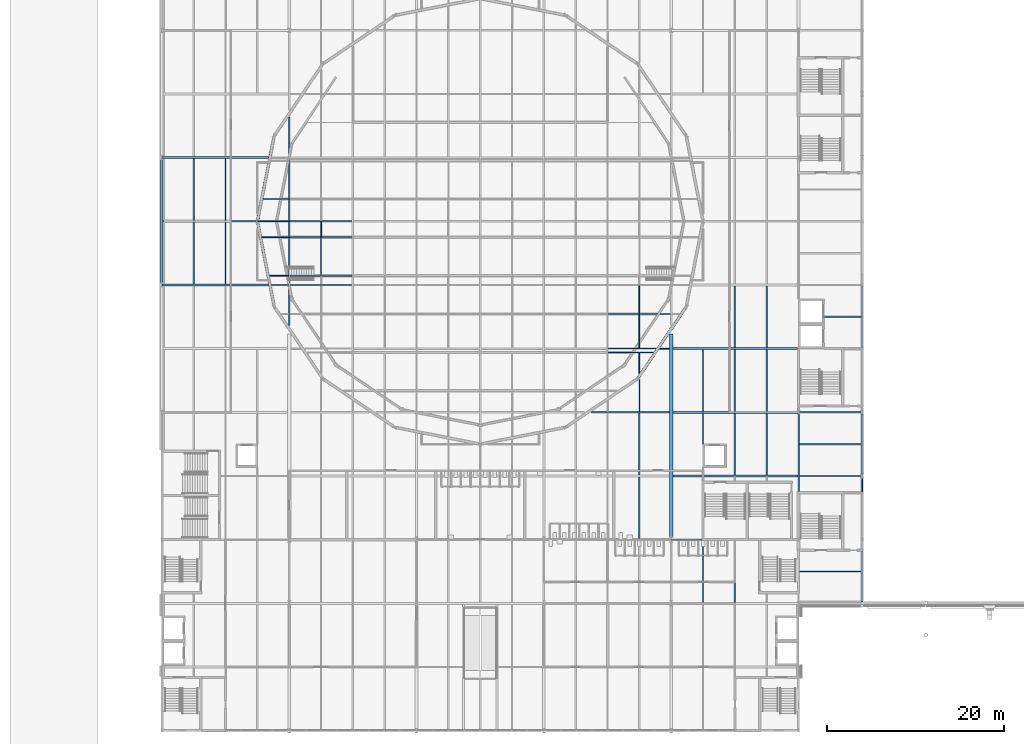
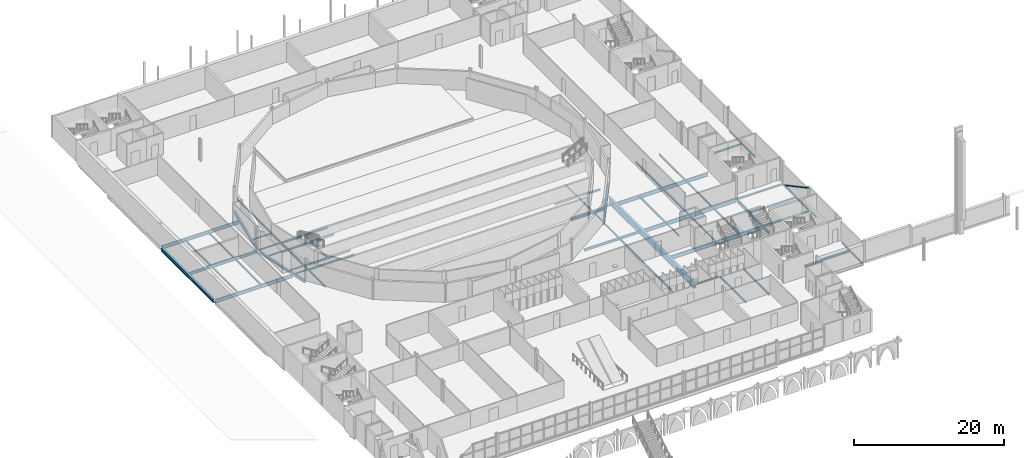
# One storey, part 32 of 90: 59 beams, 1 member.
"""IFC4 building model written with IfcOpenShell, lengths in metres."""

from ifc_helpers import new_model, si_unit, direction, frame, origin, origin_2d, place, context, subcontext, project, spatial, hollow_circle, i_section, extrude, material, material_profile, profile_set, type_object, element, save


model = new_model("IFC4")

# Units and contexts
model_context = context("Model", 3, precision=1e-05, world=origin(), true_north=direction((0.0, 1.0)))
body_context = subcontext(model_context, "Body", "Model", "MODEL_VIEW")
ifc_project = project(units=[si_unit("LENGTHUNIT", "METRE"), si_unit("AREAUNIT", "SQUARE_METRE"), si_unit("VOLUMEUNIT", "CUBIC_METRE"), si_unit("PLANEANGLEUNIT", "RADIAN"), si_unit("MASSUNIT", "GRAM", prefix="KILO")], contexts=[model_context])

# Site, building, storey
site_placement = place(None, origin())
site = spatial("IfcSite", under=ifc_project, at=site_placement, CompositionType="ELEMENT")
building_placement = place(site_placement, origin())
building = spatial("IfcBuilding", under=site, at=building_placement, Name="Kupolbacken Congress Centre", CompositionType="ELEMENT")
storey_placement = place(building_placement, frame((0.0, 0.0, 3.60009765625)))
storey = spatial("IfcBuildingStorey", under=building, at=storey_placement, Name="L01", CompositionType="ELEMENT", Elevation=3.60009765625)

# Beams
ifc_material_1 = material(Name="Steel S355", Category="steel")
ifc_material_profile_1 = material_profile(ifc_material_1, i_section(OverallWidth=0.10009765625, OverallDepth=0.199951171875, WebThickness=0.005615234375, FlangeThickness=0.008544921875, FilletRadius=0.011962890625, at=origin_2d()), Name="IPE 200")
ifc_profile_set_1 = profile_set([ifc_material_profile_1], Name="Steel S355")
beam_type_1 = type_object("IfcBeamType", Name="B01 beam IPE 200", PredefinedType="BEAM", material=ifc_profile_set_1)
beam_1_placement = place(storey_placement, frame((64.807861328125, 50.39990234375, -0.280029296875), z_axis=(1.0, 0.0, 0.0), x_axis=(0.0, 1.0, 0.0)))
element("IfcBeam", 1, at=beam_1_placement, inside=storey, type_object=beam_type_1, Name="S/floor/F/L01/R029", PredefinedType="BEAM", context=body_context, shape_type="SweptSolid", body=[
    extrude(i_section(OverallWidth=0.10009765625, OverallDepth=0.199951171875, WebThickness=0.005615234375, FlangeThickness=0.008544921875, FilletRadius=0.011962890625, at=origin_2d()), origin(), (0.0, 0.0, 1.0), 3.467041015625),
])
beam_2_placement = place(storey_placement, frame((63.50927734375, 72.0, -0.2900390625), z_axis=(1.0, 0.0, 0.0), x_axis=(0.0, 1.0, 0.0)))
element("IfcBeam", 2, at=beam_2_placement, inside=storey, type_object=beam_type_1, Name="S/floor/P/L01/R049", PredefinedType="BEAM", context=body_context, shape_type="SweptSolid", body=[
    extrude(i_section(OverallWidth=0.10009765625, OverallDepth=0.199951171875, WebThickness=0.005615234375, FlangeThickness=0.008544921875, FilletRadius=0.011962890625, at=origin_2d()), origin(), (0.0, 0.0, 1.0), 1.0908203125),
])
beam_3_placement = place(storey_placement, frame((68.39990234375, 61.199951171875, -0.2900390625), z_axis=(0.0, 1.0, 0.0), x_axis=(-1.0, 0.0, 0.0)))
element("IfcBeam", 3, at=beam_3_placement, inside=storey, type_object=beam_type_1, Name="S/floor/P/L01/S167", PredefinedType="BEAM", context=body_context, shape_type="SweptSolid", body=[
    extrude(i_section(OverallWidth=0.10009765625, OverallDepth=0.199951171875, WebThickness=0.005615234375, FlangeThickness=0.008544921875, FilletRadius=0.011962890625, at=origin_2d()), origin(), (0.0, 0.0, 1.0), 3.489990234375),
])
beam_4_placement = place(storey_placement, frame((19.580322265625, 79.199951171875, -0.2900390625), z_axis=(1.0, 0.0, 0.0), x_axis=(0.0, 1.0, 0.0)))
element("IfcBeam", 4, at=beam_4_placement, inside=storey, type_object=beam_type_1, Name="S/floor/PL/L01/R018", PredefinedType="BEAM", context=body_context, shape_type="SweptSolid", body=[
    extrude(i_section(OverallWidth=0.10009765625, OverallDepth=0.199951171875, WebThickness=0.005615234375, FlangeThickness=0.008544921875, FilletRadius=0.011962890625, at=origin_2d()), origin(), (0.0, 0.0, 1.0), 1.944580078125),
])
beam_5_placement = place(storey_placement, frame((18.0068359375, 86.39990234375, -0.2900390625), z_axis=(1.0, 0.0, 0.0), x_axis=(0.0, 1.0, 0.0)))
element("IfcBeam", 5, at=beam_5_placement, inside=storey, type_object=beam_type_1, Name="S/floor/PL/L01/R026", PredefinedType="BEAM", context=body_context, shape_type="SweptSolid", body=[
    extrude(i_section(OverallWidth=0.10009765625, OverallDepth=0.199951171875, WebThickness=0.005615234375, FlangeThickness=0.008544921875, FilletRadius=0.011962890625, at=origin_2d()), origin(), (0.0, 0.0, 1.0), 3.51806640625),
])
beam_6_placement = place(storey_placement, frame((18.659912109375, 88.925048828125, -0.2900390625), z_axis=(1.0, 0.0, 0.0), x_axis=(0.0, 1.0, 0.0)))
element("IfcBeam", 6, at=beam_6_placement, inside=storey, type_object=beam_type_1, Name="S/floor/PL/L01/R060", PredefinedType="BEAM", context=body_context, shape_type="SweptSolid", body=[
    extrude(i_section(OverallWidth=0.10009765625, OverallDepth=0.199951171875, WebThickness=0.005615234375, FlangeThickness=0.008544921875, FilletRadius=0.011962890625, at=origin_2d()), origin(), (0.0, 0.0, 1.0), 2.864990234375),
])
beam_7_placement = place(storey_placement, frame((18.519775390625, 84.5869140625, -0.2900390625), z_axis=(1.0, 0.0, 0.0), x_axis=(0.0, 1.0, 0.0)))
element("IfcBeam", 7, at=beam_7_placement, inside=storey, type_object=beam_type_1, Name="S/floor/PL/L01/R068", PredefinedType="BEAM", context=body_context, shape_type="SweptSolid", body=[
    extrude(i_section(OverallWidth=0.10009765625, OverallDepth=0.199951171875, WebThickness=0.005615234375, FlangeThickness=0.008544921875, FilletRadius=0.011962890625, at=origin_2d()), origin(), (0.0, 0.0, 1.0), 3.005126953125),
])
beam_8_placement = place(storey_placement, frame((19.37353515625, 80.25, -0.2900390625), z_axis=(1.0, 0.0, 0.0), x_axis=(0.0, 1.0, 0.0)))
element("IfcBeam", 8, at=beam_8_placement, inside=storey, type_object=beam_type_1, Name="S/floor/PL/L01/R076", PredefinedType="BEAM", context=body_context, shape_type="SweptSolid", body=[
    extrude(i_section(OverallWidth=0.10009765625, OverallDepth=0.199951171875, WebThickness=0.005615234375, FlangeThickness=0.008544921875, FilletRadius=0.011962890625, at=origin_2d()), origin(), (0.0, 0.0, 1.0), 2.1513671875),
])
beam_9_placement = place(storey_placement, frame((25.199951171875, 84.662109375, -0.2900390625), z_axis=(0.0, 1.0, 0.0), x_axis=(-1.0, 0.0, 0.0)))
element("IfcBeam", 9, at=beam_9_placement, inside=storey, type_object=beam_type_1, Name="S/floor/PL/L01/S109", PredefinedType="BEAM", context=body_context, shape_type="SweptSolid", body=[
    extrude(i_section(OverallWidth=0.10009765625, OverallDepth=0.199951171875, WebThickness=0.005615234375, FlangeThickness=0.008544921875, FilletRadius=0.011962890625, at=origin_2d()), origin(), (0.0, 0.0, 1.0), 1.662841796875),
])
beam_10_placement = place(storey_placement, frame((61.199951171875, 69.238525390625, -0.2900390625), z_axis=(0.0, 1.0, 0.0), x_axis=(-1.0, 0.0, 0.0)))
element("IfcBeam", 10, at=beam_10_placement, inside=storey, type_object=beam_type_1, Name="S/floor/PL/L01/S166", PredefinedType="BEAM", context=body_context, shape_type="SweptSolid", body=[
    extrude(i_section(OverallWidth=0.10009765625, OverallDepth=0.199951171875, WebThickness=0.005615234375, FlangeThickness=0.008544921875, FilletRadius=0.011962890625, at=origin_2d()), origin(), (0.0, 0.0, 1.0), 2.26904296875),
])
beam_11_placement = place(storey_placement, frame((61.199951171875, 72.0673828125, -0.2900390625), z_axis=(0.0, 1.0, 0.0), x_axis=(-1.0, 0.0, 0.0)))
element("IfcBeam", 11, at=beam_11_placement, inside=storey, type_object=beam_type_1, Name="S/floor/PL/L01/S167", PredefinedType="BEAM", context=body_context, shape_type="SweptSolid", body=[
    extrude(i_section(OverallWidth=0.10009765625, OverallDepth=0.199951171875, WebThickness=0.005615234375, FlangeThickness=0.008544921875, FilletRadius=0.011962890625, at=origin_2d()), origin(), (0.0, 0.0, 1.0), 3.76953125),
])
beam_12_placement = place(storey_placement, frame((61.199951171875, 75.987060546875, -0.2900390625), z_axis=(0.0, 1.0, 0.0), x_axis=(-1.0, 0.0, 0.0)))
element("IfcBeam", 12, at=beam_12_placement, inside=storey, type_object=beam_type_1, Name="S/floor/PL/L01/S168", PredefinedType="BEAM", context=body_context, shape_type="SweptSolid", body=[
    extrude(i_section(OverallWidth=0.10009765625, OverallDepth=0.199951171875, WebThickness=0.005615234375, FlangeThickness=0.008544921875, FilletRadius=0.011962890625, at=origin_2d()), origin(), (0.0, 0.0, 1.0), 3.137939453125),
])
beam_13_placement = place(storey_placement, frame((86.39990234375, 55.800048828125, -0.280029296875), z_axis=(0.0, 1.0, 0.0), x_axis=(-1.0, 0.0, 0.0)))
element("IfcBeam", 13, at=beam_13_placement, inside=storey, type_object=beam_type_1, Name="S/floor/LINK/L01/E002", PredefinedType="BEAM", context=body_context, shape_type="SweptSolid", body=[
    extrude(i_section(OverallWidth=0.10009765625, OverallDepth=0.199951171875, WebThickness=0.005615234375, FlangeThickness=0.008544921875, FilletRadius=0.011962890625, at=origin_2d()), origin(), (0.0, 0.0, 1.0), 1.554931640625),
])
ifc_material_2 = material(Name="Steel S355", Category="steel")
ifc_material_profile_2 = material_profile(ifc_material_2, i_section(OverallWidth=0.135009765625, OverallDepth=0.27001953125, WebThickness=0.006591796875, FlangeThickness=0.01025390625, FilletRadius=0.014892578125, at=origin_2d()), Name="IPE 270")
ifc_profile_set_2 = profile_set([ifc_material_profile_2], Name="Steel S355")
beam_type_2 = type_object("IfcBeamType", Name="B03 beam IPE 270", PredefinedType="BEAM", material=ifc_profile_set_2)
beam_14_placement = place(storey_placement, frame((61.199951171875, 64.889892578125, -0.3251953125), z_axis=(0.0, 1.0, 0.0), x_axis=(-1.0, 0.0, 0.0)))
element("IfcBeam", 14, at=beam_14_placement, inside=storey, type_object=beam_type_2, Name="S/floor/P/L01/S136", PredefinedType="BEAM", context=body_context, shape_type="SweptSolid", body=[
    extrude(i_section(OverallWidth=0.135009765625, OverallDepth=0.27001953125, WebThickness=0.006591796875, FlangeThickness=0.01025390625, FilletRadius=0.014892578125, at=origin_2d()), origin(), (0.0, 0.0, 1.0), 3.63818359375),
])
beam_15_placement = place(storey_placement, frame((57.675048828125, 72.0, -0.3251953125), z_axis=(1.0, 0.0, 0.0), x_axis=(0.0, 1.0, 0.0)))
element("IfcBeam", 15, at=beam_15_placement, inside=storey, type_object=beam_type_2, Name="S/floor/PL/L01/R017", PredefinedType="BEAM", context=body_context, shape_type="SweptSolid", body=[
    extrude(i_section(OverallWidth=0.135009765625, OverallDepth=0.27001953125, WebThickness=0.006591796875, FlangeThickness=0.01025390625, FilletRadius=0.014892578125, at=origin_2d()), origin(), (0.0, 0.0, 1.0), 5.392822265625),
])
beam_16_placement = place(storey_placement, frame((57.675048828125, 71.574951171875, -0.3251953125), z_axis=(1.0, 0.0, 0.0), x_axis=(0.0, 1.0, 0.0)))
element("IfcBeam", 16, at=beam_16_placement, inside=storey, type_object=beam_type_2, Name="S/floor/PL/L01/R097", PredefinedType="BEAM", context=body_context, shape_type="SweptSolid", body=[
    extrude(i_section(OverallWidth=0.135009765625, OverallDepth=0.27001953125, WebThickness=0.006591796875, FlangeThickness=0.01025390625, FilletRadius=0.014892578125, at=origin_2d()), origin(), (0.0, 0.0, 1.0), 5.106201171875),
])
beam_17_placement = place(storey_placement, frame((25.199951171875, 80.324951171875, -0.3251953125), z_axis=(0.0, 1.0, 0.0), x_axis=(-1.0, 0.0, 0.0)))
element("IfcBeam", 17, at=beam_17_placement, inside=storey, type_object=beam_type_2, Name="S/floor/PL/L01/S108", PredefinedType="BEAM", context=body_context, shape_type="SweptSolid", body=[
    extrude(i_section(OverallWidth=0.135009765625, OverallDepth=0.27001953125, WebThickness=0.006591796875, FlangeThickness=0.01025390625, FilletRadius=0.014892578125, at=origin_2d()), origin(), (0.0, 0.0, 1.0), 4.18701171875),
])
beam_18_placement = place(storey_placement, frame((86.39990234375, 43.344970703125, -0.315185546875), z_axis=(0.0, 1.0, 0.0), x_axis=(-1.0, 0.0, 0.0)))
element("IfcBeam", 18, at=beam_18_placement, inside=storey, type_object=beam_type_2, Name="S/floor/LINK/L01/E001", PredefinedType="BEAM", context=body_context, shape_type="SweptSolid", body=[
    extrude(i_section(OverallWidth=0.135009765625, OverallDepth=0.27001953125, WebThickness=0.006591796875, FlangeThickness=0.01025390625, FilletRadius=0.014892578125, at=origin_2d()), origin(), (0.0, 0.0, 1.0), 5.755126953125),
])
beam_19_placement = place(storey_placement, frame((82.10009765625, 75.60009765625, -0.315185546875), z_axis=(1.0, 0.0, 0.0), x_axis=(0.0, 1.0, 0.0)))
element("IfcBeam", 19, at=beam_19_placement, inside=storey, type_object=beam_type_2, Name="S/floor/LINK/L01/R015", PredefinedType="BEAM", context=body_context, shape_type="SweptSolid", body=[
    extrude(i_section(OverallWidth=0.135009765625, OverallDepth=0.27001953125, WebThickness=0.006591796875, FlangeThickness=0.01025390625, FilletRadius=0.014892578125, at=origin_2d()), origin(), (0.0, 0.0, 1.0), 4.224853515625),
])
ifc_material_3 = material(Name="Steel S355", Category="steel")
ifc_material_profile_3 = material_profile(ifc_material_3, i_section(OverallWidth=0.14990234375, OverallDepth=0.300048828125, WebThickness=0.007080078125, FlangeThickness=0.0107421875, FilletRadius=0.014892578125, at=origin_2d()), Name="IPE 300")
ifc_profile_set_3 = profile_set([ifc_material_profile_3], Name="Steel S355")
beam_type_3 = type_object("IfcBeamType", Name="B04 beam IPE 300", PredefinedType="BEAM", material=ifc_profile_set_3)
for number, where, z_axis, x_axis, name in (
    (20, (68.39990234375, 43.31005859375, -0.330078125), (0.0, 1.0, 0.0), (-1.0, 0.0, 0.0), "S/floor/F/L01/S077"),
    (21, (72.0, 43.31005859375, -0.330078125), (0.0, 1.0, 0.0), (-1.0, 0.0, 0.0), "S/floor/F/L01/S080"),
):
    element("IfcBeam", number, at=place(storey_placement, frame(where, z_axis=z_axis, x_axis=x_axis)), inside=storey, type_object=beam_type_3, Name=name, PredefinedType="BEAM", context=body_context, shape_type="SweptSolid", body=[
        extrude(i_section(OverallWidth=0.14990234375, OverallDepth=0.300048828125, WebThickness=0.007080078125, FlangeThickness=0.0107421875, FilletRadius=0.014892578125, at=origin_2d()), origin(), (0.0, 0.0, 1.0), 6.96484375),
    ])
for number, where, z_axis, x_axis, name in (
    (22, (10.800048828125, 79.304931640625, -0.340087890625), (0.0, 1.0, 0.0), (-1.0, 0.0, 0.0), "S/floor/P/L01/S079"),
    (23, (10.800048828125, 86.4951171875, -0.340087890625), (0.0, 1.0, 0.0), (-1.0, 0.0, 0.0), "S/floor/P/L01/S080"),
    (24, (14.39990234375, 79.304931640625, -0.340087890625), (0.0, 1.0, 0.0), (-1.0, 0.0, 0.0), "S/floor/P/L01/S089"),
    (25, (14.39990234375, 86.4951171875, -0.340087890625), (0.0, 1.0, 0.0), (-1.0, 0.0, 0.0), "S/floor/P/L01/S090"),
):
    element("IfcBeam", number, at=place(storey_placement, frame(where, z_axis=z_axis, x_axis=x_axis)), inside=storey, type_object=beam_type_3, Name=name, PredefinedType="BEAM", context=body_context, shape_type="SweptSolid", body=[
        extrude(i_section(OverallWidth=0.14990234375, OverallDepth=0.300048828125, WebThickness=0.007080078125, FlangeThickness=0.0107421875, FilletRadius=0.014892578125, at=origin_2d()), origin(), (0.0, 0.0, 1.0), 7.0),
    ])
beam_20_placement = place(storey_placement, frame((61.199951171875, 50.510009765625, -0.340087890625), z_axis=(0.0, 1.0, 0.0), x_axis=(-1.0, 0.0, 0.0)))
element("IfcBeam", 26, at=beam_20_placement, inside=storey, type_object=beam_type_3, Name="S/floor/P/L01/S134", PredefinedType="BEAM", context=body_context, shape_type="SweptSolid", body=[
    extrude(i_section(OverallWidth=0.14990234375, OverallDepth=0.300048828125, WebThickness=0.007080078125, FlangeThickness=0.0107421875, FilletRadius=0.014892578125, at=origin_2d()), origin(), (0.0, 0.0, 1.0), 6.97998046875),
])
beam_21_placement = place(storey_placement, frame((61.199951171875, 57.7099609375, -0.340087890625), z_axis=(0.0, 1.0, 0.0), x_axis=(-1.0, 0.0, 0.0)))
element("IfcBeam", 27, at=beam_21_placement, inside=storey, type_object=beam_type_3, Name="S/floor/P/L01/S135", PredefinedType="BEAM", context=body_context, shape_type="SweptSolid", body=[
    extrude(i_section(OverallWidth=0.14990234375, OverallDepth=0.300048828125, WebThickness=0.007080078125, FlangeThickness=0.0107421875, FilletRadius=0.014892578125, at=origin_2d()), origin(), (0.0, 0.0, 1.0), 7.0),
])
for number, where, z_axis, x_axis, name in (
    (28, (72.0, 57.7099609375, -0.340087890625), (0.0, 1.0, 0.0), (-1.0, 0.0, 0.0), "S/floor/P/L01/S141"),
    (29, (72.0, 64.909912109375, -0.340087890625), (0.0, 1.0, 0.0), (-1.0, 0.0, 0.0), "S/floor/P/L01/S142"),
):
    element("IfcBeam", number, at=place(storey_placement, frame(where, z_axis=z_axis, x_axis=x_axis)), inside=storey, type_object=beam_type_3, Name=name, PredefinedType="BEAM", context=body_context, shape_type="SweptSolid", body=[
        extrude(i_section(OverallWidth=0.14990234375, OverallDepth=0.300048828125, WebThickness=0.007080078125, FlangeThickness=0.0107421875, FilletRadius=0.014892578125, at=origin_2d()), origin(), (0.0, 0.0, 1.0), 6.97998046875),
    ])
beam_22_placement = place(storey_placement, frame((72.0, 72.110107421875, -0.340087890625), z_axis=(0.0, 1.0, 0.0), x_axis=(-1.0, 0.0, 0.0)))
element("IfcBeam", 30, at=beam_22_placement, inside=storey, type_object=beam_type_3, Name="S/floor/P/L01/S143", PredefinedType="BEAM", context=body_context, shape_type="SweptSolid", body=[
    extrude(i_section(OverallWidth=0.14990234375, OverallDepth=0.300048828125, WebThickness=0.007080078125, FlangeThickness=0.0107421875, FilletRadius=0.014892578125, at=origin_2d()), origin(), (0.0, 0.0, 1.0), 6.98486328125),
])
for number, where, z_axis, x_axis, name in (
    (31, (75.60009765625, 57.7099609375, -0.340087890625), (0.0, 1.0, 0.0), (-1.0, 0.0, 0.0), "S/floor/P/L01/S152"),
    (32, (75.60009765625, 64.909912109375, -0.340087890625), (0.0, 1.0, 0.0), (-1.0, 0.0, 0.0), "S/floor/P/L01/S153"),
):
    element("IfcBeam", number, at=place(storey_placement, frame(where, z_axis=z_axis, x_axis=x_axis)), inside=storey, type_object=beam_type_3, Name=name, PredefinedType="BEAM", context=body_context, shape_type="SweptSolid", body=[
        extrude(i_section(OverallWidth=0.14990234375, OverallDepth=0.300048828125, WebThickness=0.007080078125, FlangeThickness=0.0107421875, FilletRadius=0.014892578125, at=origin_2d()), origin(), (0.0, 0.0, 1.0), 6.97998046875),
    ])
beam_23_placement = place(storey_placement, frame((75.60009765625, 72.110107421875, -0.340087890625), z_axis=(0.0, 1.0, 0.0), x_axis=(-1.0, 0.0, 0.0)))
element("IfcBeam", 33, at=beam_23_placement, inside=storey, type_object=beam_type_3, Name="S/floor/P/L01/S154", PredefinedType="BEAM", context=body_context, shape_type="SweptSolid", body=[
    extrude(i_section(OverallWidth=0.14990234375, OverallDepth=0.300048828125, WebThickness=0.007080078125, FlangeThickness=0.0107421875, FilletRadius=0.014892578125, at=origin_2d()), origin(), (0.0, 0.0, 1.0), 6.98486328125),
])
beam_24_placement = place(storey_placement, frame((68.39990234375, 64.909912109375, -0.340087890625), z_axis=(0.0, 1.0, 0.0), x_axis=(-1.0, 0.0, 0.0)))
element("IfcBeam", 34, at=beam_24_placement, inside=storey, type_object=beam_type_3, Name="S/floor/P/L01/S168", PredefinedType="BEAM", context=body_context, shape_type="SweptSolid", body=[
    extrude(i_section(OverallWidth=0.14990234375, OverallDepth=0.300048828125, WebThickness=0.007080078125, FlangeThickness=0.0107421875, FilletRadius=0.014892578125, at=origin_2d()), origin(), (0.0, 0.0, 1.0), 6.97998046875),
])
beam_25_placement = place(storey_placement, frame((21.60009765625, 74.610107421875, -0.340087890625), z_axis=(0.0, 1.0, 0.0), x_axis=(-1.0, 0.0, 0.0)))
element("IfcBeam", 35, at=beam_25_placement, inside=storey, type_object=beam_type_3, Name="S/floor/PL/L01/G001", PredefinedType="BEAM", context=body_context, shape_type="SweptSolid", body=[
    extrude(i_section(OverallWidth=0.14990234375, OverallDepth=0.300048828125, WebThickness=0.007080078125, FlangeThickness=0.0107421875, FilletRadius=0.014892578125, at=origin_2d()), origin(), (0.0, 0.0, 1.0), 23.57958984375),
])
for number, where, z_axis, x_axis, name in (
    (36, (21.675048828125, 79.199951171875, -0.340087890625), (1.0, 0.0, 0.0), (0.0, 1.0, 0.0), "S/floor/PL/L01/R019"),
    (37, (21.675048828125, 86.39990234375, -0.340087890625), (1.0, 0.0, 0.0), (0.0, 1.0, 0.0), "S/floor/PL/L01/R027"),
    (38, (21.675048828125, 84.5869140625, -0.340087890625), (1.0, 0.0, 0.0), (0.0, 1.0, 0.0), "S/floor/PL/L01/R069"),
    (39, (21.675048828125, 80.25, -0.340087890625), (1.0, 0.0, 0.0), (0.0, 1.0, 0.0), "S/floor/PL/L01/R077"),
    (40, (57.675048828125, 75.912109375, -0.340087890625), (1.0, 0.0, 0.0), (0.0, 1.0, 0.0), "S/floor/PL/L01/R090"),
):
    element("IfcBeam", number, at=place(storey_placement, frame(where, z_axis=z_axis, x_axis=x_axis)), inside=storey, type_object=beam_type_3, Name=name, PredefinedType="BEAM", context=body_context, shape_type="SweptSolid", body=[
        extrude(i_section(OverallWidth=0.14990234375, OverallDepth=0.300048828125, WebThickness=0.007080078125, FlangeThickness=0.0107421875, FilletRadius=0.014892578125, at=origin_2d()), origin(), (0.0, 0.0, 1.0), 7.050048828125),
    ])
beam_26_placement = place(storey_placement, frame((86.39990234375, 57.844970703125, -0.330078125), z_axis=(0.0, 1.0, 0.0), x_axis=(-1.0, 0.0, 0.0)))
element("IfcBeam", 41, at=beam_26_placement, inside=storey, type_object=beam_type_3, Name="S/floor/LINK/L01/E003", PredefinedType="BEAM", context=body_context, shape_type="SweptSolid", body=[
    extrude(i_section(OverallWidth=0.14990234375, OverallDepth=0.300048828125, WebThickness=0.007080078125, FlangeThickness=0.0107421875, FilletRadius=0.014892578125, at=origin_2d()), origin(), (0.0, 0.0, 1.0), 6.7099609375),
])
beam_27_placement = place(storey_placement, frame((86.39990234375, 72.10009765625, -0.330078125), z_axis=(0.0, 1.0, 0.0), x_axis=(-1.0, 0.0, 0.0)))
element("IfcBeam", 42, at=beam_27_placement, inside=storey, type_object=beam_type_3, Name="S/floor/LINK/L01/E005", PredefinedType="BEAM", context=body_context, shape_type="SweptSolid", body=[
    extrude(i_section(OverallWidth=0.14990234375, OverallDepth=0.300048828125, WebThickness=0.007080078125, FlangeThickness=0.0107421875, FilletRadius=0.014892578125, at=origin_2d()), origin(), (0.0, 0.0, 1.0), 6.954833984375),
])
beam_28_placement = place(storey_placement, frame((79.324951171875, 46.800048828125, -0.330078125), z_axis=(1.0, 0.0, 0.0), x_axis=(0.0, 1.0, 0.0)))
element("IfcBeam", 43, at=beam_28_placement, inside=storey, type_object=beam_type_3, Name="S/floor/LINK/L01/R011", PredefinedType="BEAM", context=body_context, shape_type="SweptSolid", body=[
    extrude(i_section(OverallWidth=0.14990234375, OverallDepth=0.300048828125, WebThickness=0.007080078125, FlangeThickness=0.0107421875, FilletRadius=0.014892578125, at=origin_2d()), origin(), (0.0, 0.0, 1.0), 7.007568359375),
])
beam_29_placement = place(storey_placement, frame((79.2900390625, 57.60009765625, -0.330078125), z_axis=(1.0, 0.0, 0.0), x_axis=(0.0, 1.0, 0.0)))
element("IfcBeam", 44, at=beam_29_placement, inside=storey, type_object=beam_type_3, Name="S/floor/LINK/L01/R012", PredefinedType="BEAM", context=body_context, shape_type="SweptSolid", body=[
    extrude(i_section(OverallWidth=0.14990234375, OverallDepth=0.300048828125, WebThickness=0.007080078125, FlangeThickness=0.0107421875, FilletRadius=0.014892578125, at=origin_2d()), origin(), (0.0, 0.0, 1.0), 7.10400390625),
])
beam_30_placement = place(storey_placement, frame((79.2900390625, 61.199951171875, -0.330078125), z_axis=(1.0, 0.0, 0.0), x_axis=(0.0, 1.0, 0.0)))
element("IfcBeam", 45, at=beam_30_placement, inside=storey, type_object=beam_type_3, Name="S/floor/LINK/L01/R013", PredefinedType="BEAM", context=body_context, shape_type="SweptSolid", body=[
    extrude(i_section(OverallWidth=0.14990234375, OverallDepth=0.300048828125, WebThickness=0.007080078125, FlangeThickness=0.0107421875, FilletRadius=0.014892578125, at=origin_2d()), origin(), (0.0, 0.0, 1.0), 7.034912109375),
])
beam_31_placement = place(storey_placement, frame((79.20703125, 64.800048828125, -0.330078125), z_axis=(1.0, 0.0, 0.0), x_axis=(0.0, 1.0, 0.0)))
element("IfcBeam", 46, at=beam_31_placement, inside=storey, type_object=beam_type_3, Name="S/floor/LINK/L01/R014", PredefinedType="BEAM", context=body_context, shape_type="SweptSolid", body=[
    extrude(i_section(OverallWidth=0.14990234375, OverallDepth=0.300048828125, WebThickness=0.007080078125, FlangeThickness=0.0107421875, FilletRadius=0.014892578125, at=origin_2d()), origin(), (0.0, 0.0, 1.0), 7.18701171875),
])
ifc_material_4 = material(Name="Steel S355", Category="steel")
ifc_material_profile_4 = material_profile(ifc_material_4, i_section(OverallWidth=0.179931640625, OverallDepth=0.39990234375, WebThickness=0.008544921875, FlangeThickness=0.013427734375, FilletRadius=0.02099609375, at=origin_2d()), Name="IPE 400")
ifc_profile_set_4 = profile_set([ifc_material_profile_4], Name="Steel S355")
beam_type_4 = type_object("IfcBeamType", Name="B07 beam IPE 400", PredefinedType="BEAM", material=ifc_profile_set_4)
beam_32_placement = place(storey_placement, frame((79.199951171875, 55.85009765625, -0.39013671875), z_axis=(0.0, 1.0, 0.0), x_axis=(-1.0, 0.0, 0.0)))
element("IfcBeam", 47, at=beam_32_placement, inside=storey, type_object=beam_type_4, Name="S/floor/P/L01/G032", PredefinedType="BEAM", context=body_context, shape_type="SweptSolid", body=[
    extrude(i_section(OverallWidth=0.179931640625, OverallDepth=0.39990234375, WebThickness=0.008544921875, FlangeThickness=0.013427734375, FilletRadius=0.02099609375, at=origin_2d()), origin(), (0.0, 0.0, 1.0), 8.724853515625),
])
beam_33_placement = place(storey_placement, frame((55.7705078125, 64.800048828125, -0.39013671875), z_axis=(1.0, 0.0, 0.0), x_axis=(0.0, 1.0, 0.0)))
element("IfcBeam", 48, at=beam_33_placement, inside=storey, type_object=beam_type_4, Name="S/floor/P/L01/R045", PredefinedType="BEAM", context=body_context, shape_type="SweptSolid", body=[
    extrude(i_section(OverallWidth=0.179931640625, OverallDepth=0.39990234375, WebThickness=0.008544921875, FlangeThickness=0.013427734375, FilletRadius=0.02099609375, at=origin_2d()), origin(), (0.0, 0.0, 1.0), 8.82958984375),
])
ifc_material_5 = material(Name="Steel S355", Category="steel")
ifc_material_profile_5 = material_profile(ifc_material_5, i_section(OverallWidth=0.18994140625, OverallDepth=0.449951171875, WebThickness=0.009521484375, FlangeThickness=0.0146484375, FilletRadius=0.02099609375, at=origin_2d()), Name="IPE 450")
ifc_profile_set_5 = profile_set([ifc_material_profile_5], Name="Steel S355")
beam_type_5 = type_object("IfcBeamType", Name="B08 beam IPE 450", PredefinedType="BEAM", material=ifc_profile_set_5)
beam_34_placement = place(storey_placement, frame((7.35009765625, 86.39990234375, -0.4150390625), z_axis=(1.0, 0.0, 0.0), x_axis=(0.0, 1.0, 0.0)))
element("IfcBeam", 49, at=beam_34_placement, inside=storey, type_object=beam_type_5, Name="S/floor/P/L01/R053", PredefinedType="BEAM", context=body_context, shape_type="SweptSolid", body=[
    extrude(i_section(OverallWidth=0.18994140625, OverallDepth=0.449951171875, WebThickness=0.009521484375, FlangeThickness=0.0146484375, FilletRadius=0.02099609375, at=origin_2d()), origin(), (0.0, 0.0, 1.0), 10.64306640625),
])
ifc_material_6 = material(Name="Steel S355", Category="steel")
ifc_material_profile_6 = material_profile(ifc_material_6, i_section(OverallWidth=0.2099609375, OverallDepth=0.550048828125, WebThickness=0.010986328125, FlangeThickness=0.01708984375, FilletRadius=0.02392578125, at=origin_2d()), Name="IPE 550")
ifc_profile_set_6 = profile_set([ifc_material_profile_6], Name="Steel S355")
beam_type_6 = type_object("IfcBeamType", Name="B10 beam IPE 550", PredefinedType="BEAM", material=ifc_profile_set_6)
for number, where, z_axis, x_axis, name in (
    (50, (7.20703125, 79.199951171875, -0.465087890625), (1.0, 0.0, 0.0), (0.0, 1.0, 0.0), "S/floor/P/L01/R051"),
    (51, (7.20703125, 93.60009765625, -0.465087890625), (1.0, 0.0, 0.0), (0.0, 1.0, 0.0), "S/floor/P/L01/R055"),
):
    element("IfcBeam", number, at=place(storey_placement, frame(where, z_axis=z_axis, x_axis=x_axis)), inside=storey, type_object=beam_type_6, Name=name, PredefinedType="BEAM", context=body_context, shape_type="SweptSolid", body=[
        extrude(i_section(OverallWidth=0.2099609375, OverallDepth=0.550048828125, WebThickness=0.010986328125, FlangeThickness=0.01708984375, FilletRadius=0.02392578125, at=origin_2d()), origin(), (0.0, 0.0, 1.0), 12.037109375),
    ])
ifc_material_7 = material(Name="Steel S355", Category="steel")
ifc_material_profile_7 = material_profile(ifc_material_7, i_section(OverallWidth=0.219970703125, OverallDepth=0.60009765625, WebThickness=0.011962890625, FlangeThickness=0.01904296875, FilletRadius=0.02392578125, at=origin_2d()), Name="IPE 600")
ifc_profile_set_7 = profile_set([ifc_material_profile_7], Name="Steel S355")
beam_type_7 = type_object("IfcBeamType", Name="B11 beam IPE 600", PredefinedType="BEAM", material=ifc_profile_set_7)
beam_35_placement = place(storey_placement, frame((65.0, 57.60009765625, -0.489990234375), z_axis=(1.0, 0.0, 0.0), x_axis=(0.0, 1.0, 0.0)))
element("IfcBeam", 52, at=beam_35_placement, inside=storey, type_object=beam_type_7, Name="S/floor/P/L01/R042", PredefinedType="BEAM", context=body_context, shape_type="SweptSolid", body=[
    extrude(i_section(OverallWidth=0.219970703125, OverallDepth=0.60009765625, WebThickness=0.011962890625, FlangeThickness=0.01904296875, FilletRadius=0.02392578125, at=origin_2d()), origin(), (0.0, 0.0, 1.0), 14.110107421875),
])
beam_36_placement = place(storey_placement, frame((65.0, 64.800048828125, -0.489990234375), z_axis=(1.0, 0.0, 0.0), x_axis=(0.0, 1.0, 0.0)))
element("IfcBeam", 53, at=beam_36_placement, inside=storey, type_object=beam_type_7, Name="S/floor/P/L01/R046", PredefinedType="BEAM", context=body_context, shape_type="SweptSolid", body=[
    extrude(i_section(OverallWidth=0.219970703125, OverallDepth=0.60009765625, WebThickness=0.011962890625, FlangeThickness=0.01904296875, FilletRadius=0.02392578125, at=origin_2d()), origin(), (0.0, 0.0, 1.0), 14.193115234375),
])
beam_37_placement = place(storey_placement, frame((65.0, 72.0, -0.489990234375), z_axis=(1.0, 0.0, 0.0), x_axis=(0.0, 1.0, 0.0)))
element("IfcBeam", 54, at=beam_37_placement, inside=storey, type_object=beam_type_7, Name="S/floor/P/L01/R050", PredefinedType="BEAM", context=body_context, shape_type="SweptSolid", body=[
    extrude(i_section(OverallWidth=0.219970703125, OverallDepth=0.60009765625, WebThickness=0.011962890625, FlangeThickness=0.01904296875, FilletRadius=0.02392578125, at=origin_2d()), origin(), (0.0, 0.0, 1.0), 14.074951171875),
])
ifc_material_8 = material(Name="Steel S355", Category="steel")
ifc_material_profile_8 = material_profile(ifc_material_8, i_section(OverallWidth=0.300048828125, OverallDepth=0.35009765625, WebThickness=0.010009765625, FlangeThickness=0.017578125, FilletRadius=0.027099609375, at=origin_2d()), Name="HEA 360")
ifc_profile_set_8 = profile_set([ifc_material_profile_8], Name="Steel S355")
beam_type_8 = type_object("IfcBeamType", Name="B13 beam HEA 360", PredefinedType="BEAM", material=ifc_profile_set_8)
for number, where, z_axis, x_axis, name in (
    (55, (19.860595703125, 95.849853515625, -0.364990234375), (-0.193191886678, -0.981160993376, 0.0), (0.981160993376, -0.193191886678, 0.0), "S/floor/P/L01/C008"),
    (56, (18.039306640625, 86.199951171875, -0.364990234375), (0.193191886678, -0.981160993376, 0.0), (0.981160993376, 0.193191886678, 0.0), "S/floor/P/L01/C009"),
):
    element("IfcBeam", number, at=place(storey_placement, frame(where, z_axis=z_axis, x_axis=x_axis)), inside=storey, type_object=beam_type_8, Name=name, PredefinedType="BEAM", context=body_context, shape_type="SweptSolid", body=[
        extrude(i_section(OverallWidth=0.300048828125, OverallDepth=0.35009765625, WebThickness=0.010009765625, FlangeThickness=0.017578125, FilletRadius=0.027099609375, at=origin_2d()), origin(), (0.0, 0.0, 1.0), 9.42724609375),
    ])
beam_38_placement = place(storey_placement, frame((61.114013671875, 68.768798828125, -0.364990234375), z_axis=(0.559372299764, 0.828916539983, 0.0), x_axis=(-0.828916539983, 0.559372299764, 0.0)))
element("IfcBeam", 57, at=beam_38_placement, inside=storey, type_object=beam_type_8, Name="S/floor/P/L01/C015", PredefinedType="BEAM", context=body_context, shape_type="SweptSolid", body=[
    extrude(i_section(OverallWidth=0.300048828125, OverallDepth=0.35009765625, WebThickness=0.010009765625, FlangeThickness=0.017578125, FilletRadius=0.027099609375, at=origin_2d()), origin(), (0.0, 0.0, 1.0), 9.42431640625),
])
ifc_material_9 = material(Name="Steel S355", Category="steel")
ifc_material_profile_9 = material_profile(ifc_material_9, i_section(OverallWidth=0.300048828125, OverallDepth=0.60009765625, WebThickness=0.015380859375, FlangeThickness=0.030029296875, FilletRadius=0.027099609375, at=origin_2d()), Name="HEB 600")
ifc_profile_set_9 = profile_set([ifc_material_profile_9], Name="Steel S355")
beam_type_9 = type_object("IfcBeamType", Name="B15 beam HEB 600", PredefinedType="BEAM", material=ifc_profile_set_9)
beam_39_placement = place(storey_placement, frame((7.199951171875, 79.425048828125, -0.489990234375), z_axis=(0.0, 1.0, 0.0), x_axis=(-1.0, 0.0, 0.0)))
element("IfcBeam", 58, at=beam_39_placement, inside=storey, type_object=beam_type_9, Name="S/floor/P/L01/G019", PredefinedType="BEAM", context=body_context, shape_type="SweptSolid", body=[
    extrude(i_section(OverallWidth=0.300048828125, OverallDepth=0.60009765625, WebThickness=0.015380859375, FlangeThickness=0.030029296875, FilletRadius=0.027099609375, at=origin_2d()), origin(), (0.0, 0.0, 1.0), 13.949951171875),
])
ifc_material_10 = material(Name="Steel S355", Category="steel")
ifc_material_profile_10 = material_profile(ifc_material_10, i_section(OverallWidth=0.39990234375, OverallDepth=1.0, WebThickness=0.02197265625, FlangeThickness=0.044921875, at=origin_2d()), Name="PG 1000 x 400")
ifc_profile_set_10 = profile_set([ifc_material_profile_10], Name="Steel S355")
beam_type_10 = type_object("IfcBeamType", Name="B23 beam PG 1000 x 400", PredefinedType="BEAM", material=ifc_profile_set_10)
beam_40_placement = place(storey_placement, frame((64.800048828125, 50.699951171875, -0.690185546875), z_axis=(0.0, 1.0, 0.0), x_axis=(-1.0, 0.0, 0.0)))
element("IfcBeam", 59, at=beam_40_placement, inside=storey, type_object=beam_type_10, Name="S/floor/P/L01/G029", PredefinedType="BEAM", context=body_context, shape_type="SweptSolid", body=[
    extrude(i_section(OverallWidth=0.39990234375, OverallDepth=1.0, WebThickness=0.02197265625, FlangeThickness=0.044921875, at=origin_2d()), origin(), (0.0, 0.0, 1.0), 22.966552734375),
])

# Member
ifc_material_11 = material(Name="Steel S355", Category="steel")
ifc_material_profile_11 = material_profile(ifc_material_11, hollow_circle(Radius=0.136474609375, WallThickness=0.012451171875, at=origin_2d()), Name="CHS 273 x 12.5")
ifc_profile_set_11 = profile_set([ifc_material_profile_11], Name="Steel S355")
member_type = type_object("IfcMemberType", Name="M08 brace CHS 273 x 12.5", PredefinedType="BRACE", material=ifc_profile_set_11)
member_placement = place(storey_placement, frame((86.39990234375, 64.554931640625, -0.330078125), z_axis=(0.0, -0.881180466795, 0.472780059793), x_axis=(1.0, 0.0, 0.0)))
element("IfcMember", 60, at=member_placement, inside=storey, type_object=member_type, Name="S/brace/W/03/02", PredefinedType="BRACE", context=body_context, shape_type="SweptSolid", body=[
    extrude(hollow_circle(Radius=0.136474609375, WallThickness=0.012451171875, at=origin_2d()), origin(), (0.0, 0.0, 1.0), 7.61474609375),
])

save(model, "model.ifc")
